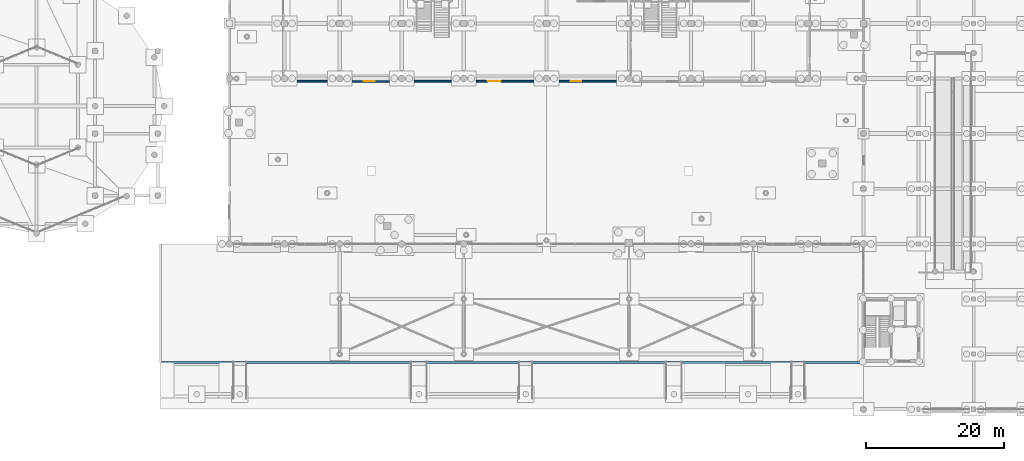
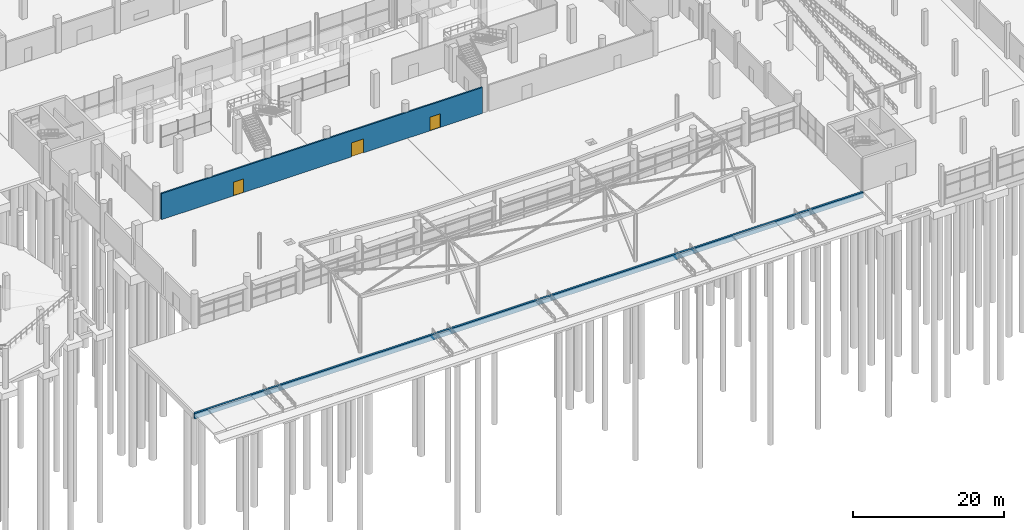
# One storey, part 73 of 98: 3 doors, 2 walls, 3 openings.
"""IFC4 building model written with IfcOpenShell, lengths in metres."""

from ifc_helpers import new_model, si_unit, derived_unit, direction, frame, frame_2d, origin, place, context, subcontext, project, spatial, rectangle, extrude, material, layer, layer_set, type_object, element, fill, save


model = new_model("IFC4")

# Units and contexts
model_context = context("Model", 3, precision=1e-05, world=origin(), true_north=direction((0.0, 1.0)))
body_context = subcontext(model_context, "Body", "Model", "MODEL_VIEW")
ifc_project = project(units=[si_unit("LENGTHUNIT", "METRE"), si_unit("AREAUNIT", "SQUARE_METRE"), si_unit("VOLUMEUNIT", "CUBIC_METRE"), si_unit("PLANEANGLEUNIT", "RADIAN"), si_unit("MASSUNIT", "GRAM", prefix="KILO"), si_unit("THERMODYNAMICTEMPERATUREUNIT", "KELVIN"), derived_unit("THERMALTRANSMITTANCEUNIT", [(si_unit("POWERUNIT", "WATT"), 1), (si_unit("AREAUNIT", "SQUARE_METRE"), -1), (si_unit("THERMODYNAMICTEMPERATUREUNIT", "KELVIN"), -1)])], contexts=[model_context])

# Site, building, storey
site_placement = place(None, origin())
site = spatial("IfcSite", under=ifc_project, at=site_placement, CompositionType="ELEMENT")
building_placement = place(site_placement, origin())
building = spatial("IfcBuilding", under=site, at=building_placement, Name="Haiyu Intermodal Mobility Hub", CompositionType="ELEMENT")
storey_placement = place(building_placement, origin())
storey = spatial("IfcBuildingStorey", under=building, at=storey_placement, Name="L00", CompositionType="ELEMENT", Elevation=0.0)

# Wall
ifc_material_1 = material(Name="Precast concrete C40", Category="concrete")
ifc_layer_1 = layer(ifc_material_1, 0.300048828125)
ifc_layer_set_1 = layer_set([ifc_layer_1], Name="Precast concrete C40")
wall_type_1 = type_object("IfcWallType", Name="WAL-WE01", PredefinedType="STANDARD", material=ifc_layer_set_1)
wall_1_placement = place(storey_placement, frame((52.0, 22.800048828125, -0.89990234375), z_axis=(0.0, 0.0, 1.0), x_axis=(1.0, 0.0, 0.0)))
element("IfcWall", 1, at=wall_1_placement, inside=storey, type_object=wall_type_1, Name="Flood Plinth Retaining Wall PLN-SF1", PredefinedType="STANDARD", context=body_context, shape_type="SweptSolid", body=[
    extrude(rectangle(XDim=102.0, YDim=0.300048828125, at=frame_2d((51.0, 0.0))), origin(), (0.0, 0.0, 1.0), 0.89990234375),
])

# Wall, openings, doors
ifc_material_2 = material(Name="Autoclaved aerated concrete block A5.0", Category="concrete")
ifc_layer_2 = layer(ifc_material_2, 0.22998046875)
ifc_layer_set_2 = layer_set([ifc_layer_2], Name="Autoclaved aerated concrete block A5.0")
wall_type_2 = type_object("IfcWallType", Name="WAL-WI01", PredefinedType="PARTITIONING", material=ifc_layer_set_2)
wall_2_placement = place(storey_placement, frame((70.5, 63.60009765625, 0.0), z_axis=(0.0, 0.0, 1.0), x_axis=(1.0, 0.0, 0.0)))
wall_2 = element("IfcWall", 2, at=wall_2_placement, inside=storey, type_object=wall_type_2, Name="WAL-INT-0001", PredefinedType="PARTITIONING", context=body_context, shape_type="SweptSolid", body=[
    extrude(rectangle(XDim=49.0, YDim=0.22998046875, at=frame_2d((24.5, 0.0))), origin(), (0.0, 0.0, 1.0), 4.199951171875),
])
opening_1_placement = place(wall_2_placement, frame((11.0, 0.0, 0.0)))
opening_1 = element("IfcOpeningElement", 3, at=opening_1_placement, cuts=wall_2, Name="Opening DI04", PredefinedType="OPENING", context=body_context, shape_type="SweptSolid", body=[
    extrude(rectangle(XDim=1.550048828125, YDim=2.199951171875, at=frame_2d((0.77490234375, 1.10009765625))), frame((0.0, 0.125, 0.0), z_axis=(0.0, -1.0, 0.0), x_axis=(1.0, 0.0, 0.0)), (0.0, 0.0, 1.0), 0.25),
])
opening_2_placement = place(wall_2_placement, frame((29.0, 0.0, 0.0)))
opening_2 = element("IfcOpeningElement", 4, at=opening_2_placement, cuts=wall_2, Name="Opening DI15", PredefinedType="OPENING", context=body_context, shape_type="SweptSolid", body=[
    extrude(rectangle(XDim=1.85009765625, YDim=2.25, at=frame_2d((0.925048828125, 1.125))), frame((0.0, 0.125, 0.0), z_axis=(0.0, -1.0, 0.0), x_axis=(1.0, 0.0, 0.0)), (0.0, 0.0, 1.0), 0.25),
])
opening_3_placement = place(wall_2_placement, frame((41.0, 0.0, 0.0)))
opening_3 = element("IfcOpeningElement", 5, at=opening_3_placement, cuts=wall_2, Name="Opening DI04", PredefinedType="OPENING", context=body_context, shape_type="SweptSolid", body=[
    extrude(rectangle(XDim=1.550048828125, YDim=2.199951171875, at=frame_2d((0.77490234375, 1.10009765625))), frame((0.0, 0.125, 0.0), z_axis=(0.0, -1.0, 0.0), x_axis=(1.0, 0.0, 0.0)), (0.0, 0.0, 1.0), 0.25),
])
ifc_material_3 = material(Name="Steel Q355C", Category="steel")
door_type_1 = type_object("IfcDoorType", Name="DR-DI04", OperationType="DOUBLE_DOOR_SINGLE_SWING", PredefinedType="DOOR", material=ifc_material_3)
door_1_placement = place(opening_1_placement, origin())
door_1 = element("IfcDoor", 6, at=door_1_placement, inside=storey, type_object=door_type_1, Name="Bus Deck Concourse Door 1", OperationType="DOUBLE_SWING_LEFT", OverallHeight=2.199951171875, OverallWidth=1.550048828125, PredefinedType="DOOR", context=body_context, shape_type="SweptSolid", body=[
    extrude(rectangle(XDim=1.550048828125, YDim=2.199951171875, at=frame_2d((0.77490234375, 1.10009765625))), frame((0.0, 0.02490234375, 0.0), z_axis=(0.0, -1.0, 0.0), x_axis=(1.0, 0.0, 0.0)), (0.0, 0.0, 1.0), 0.050048828125),
])
fill(opening_1, door_1)
door_2_placement = place(opening_3_placement, origin())
door_2 = element("IfcDoor", 7, at=door_2_placement, inside=storey, type_object=door_type_1, Name="Bus Deck Concourse Door 3", OperationType="DOUBLE_SWING_LEFT", OverallHeight=2.199951171875, OverallWidth=1.550048828125, PredefinedType="DOOR", context=body_context, shape_type="SweptSolid", body=[
    extrude(rectangle(XDim=1.550048828125, YDim=2.199951171875, at=frame_2d((0.77490234375, 1.10009765625))), frame((0.0, 0.02490234375, 0.0), z_axis=(0.0, -1.0, 0.0), x_axis=(1.0, 0.0, 0.0)), (0.0, 0.0, 1.0), 0.050048828125),
])
fill(opening_3, door_2)
door_type_2 = type_object("IfcDoorType", Name="DR-DI15", OperationType="DOUBLE_DOOR_SINGLE_SWING", PredefinedType="DOOR", material=ifc_material_3)
door_3_placement = place(opening_2_placement, origin())
door_3 = element("IfcDoor", 8, at=door_3_placement, inside=storey, type_object=door_type_2, Name="Bus Deck Concourse Door 2", OperationType="DOUBLE_SWING_RIGHT", OverallHeight=2.25, OverallWidth=1.85009765625, PredefinedType="DOOR", context=body_context, shape_type="SweptSolid", body=[
    extrude(rectangle(XDim=1.85009765625, YDim=2.25, at=frame_2d((0.925048828125, 1.125))), frame((0.0, 0.02490234375, 0.0), z_axis=(0.0, -1.0, 0.0), x_axis=(1.0, 0.0, 0.0)), (0.0, 0.0, 1.0), 0.050048828125),
])
fill(opening_2, door_3)

save(model, "model.ifc")
